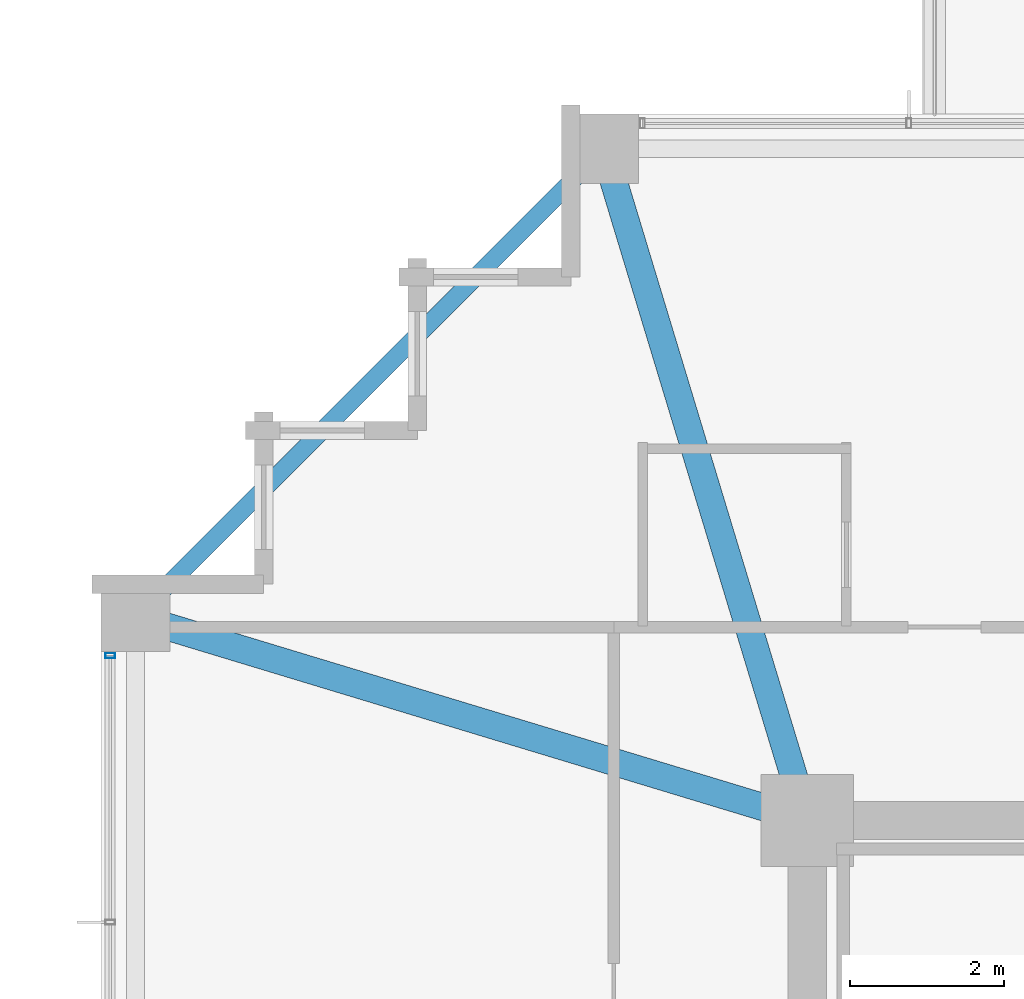
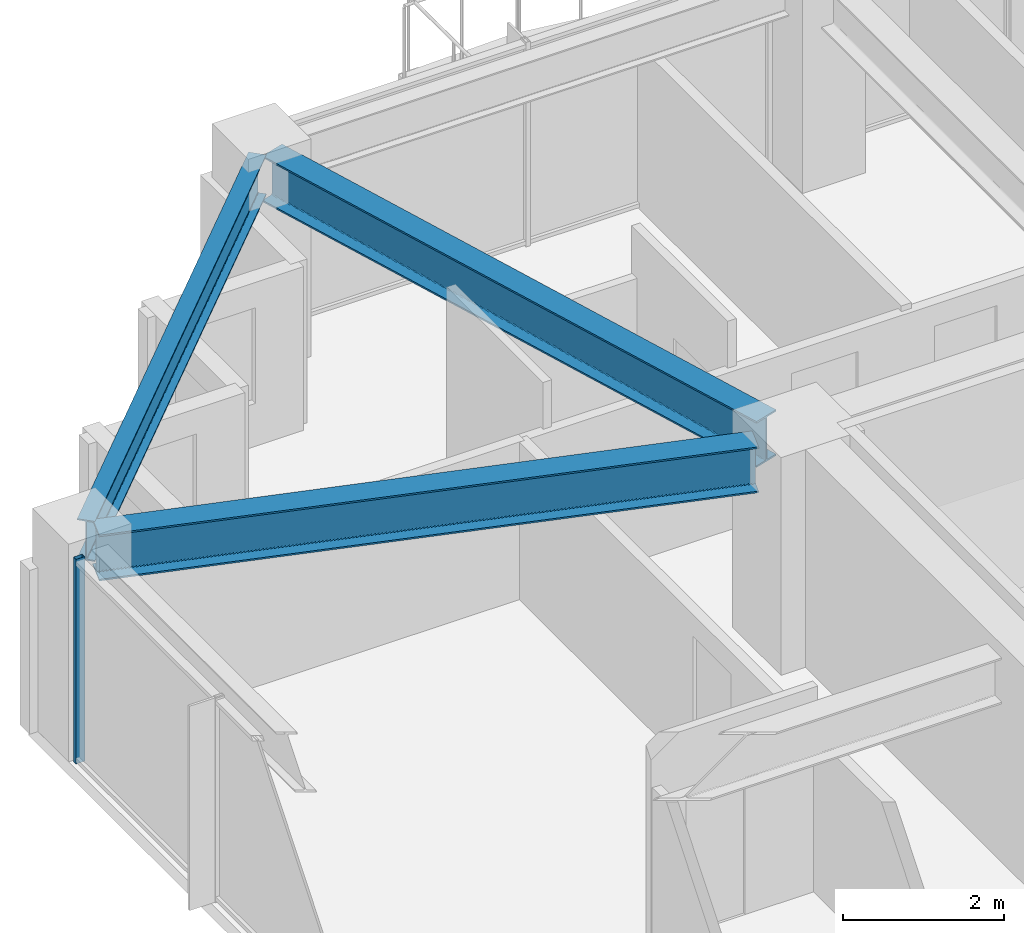
# One storey, part 15 of 32: 3 beams, 1 member, 1 element without a shape of its own.
"""IFC4 building model written with IfcOpenShell, lengths in metres."""

from ifc_helpers import new_model, si_unit, direction, frame, origin, origin_2d, place, context, subcontext, project, spatial, hollow_rectangle, i_section, extrude, material, material_profile, profile_set, type_object, element, aggregate, save


model = new_model("IFC4")

# Units and contexts
model_context = context("Model", 3, precision=1e-05, world=origin(), true_north=direction((0.0, 1.0)))
body_context = subcontext(model_context, "Body", "Model", "MODEL_VIEW")
ifc_project = project(units=[si_unit("LENGTHUNIT", "METRE"), si_unit("AREAUNIT", "SQUARE_METRE"), si_unit("VOLUMEUNIT", "CUBIC_METRE"), si_unit("PLANEANGLEUNIT", "RADIAN"), si_unit("MASSUNIT", "GRAM", prefix="KILO")], contexts=[model_context])

# Site, building, storey
site_placement = place(None, origin())
site = spatial("IfcSite", under=ifc_project, at=site_placement, CompositionType="ELEMENT")
building_placement = place(site_placement, origin())
building = spatial("IfcBuilding", under=site, at=building_placement, Name="Kolvaren Belvedere", CompositionType="ELEMENT")
storey_placement = place(building_placement, frame((0.0, 0.0, 160.199951171875)))
storey = spatial("IfcBuildingStorey", under=building, at=storey_placement, Name="L46", CompositionType="ELEMENT", Elevation=160.199951171875)

# Beams
ifc_material_1 = material(Name="Structural steel ASTM A992 Grade 50", Category="steel")
ifc_material_profile_1 = material_profile(ifc_material_1, i_section(OverallWidth=0.35498046875, OverallDepth=0.696044921875, WebThickness=0.015380859375, FlangeThickness=0.02490234375, FilletRadius=0.02197265625, at=origin_2d()), Name="W27X146")
ifc_profile_set_1 = profile_set([ifc_material_profile_1], Name="Structural steel ASTM A992 Grade 50")
beam_type_1 = type_object("IfcBeamType", Name="BM-GIRD-W27X146", PredefinedType="BEAM", material=ifc_profile_set_1)
for number, where, z_axis, x_axis, name in (
    (1, (-10.059326171875, 10.426513671875, 2.751953125), (-0.289865629086, 0.957067352423, 0.0), (-0.957067352423, -0.289865629086, 0.0), "L46 Corner Core-to-Perimeter Girder CC4-N1"),
    (2, (-10.426513671875, 10.059326171875, 2.751953125), (-0.957067352423, 0.289865629086, 0.0), (-0.289865629086, -0.957067352423, 0.0), "L46 Corner Core-to-Perimeter Girder CC4-W4"),
):
    element("IfcBeam", number, at=place(storey_placement, frame(where, z_axis=z_axis, x_axis=x_axis)), inside=storey, type_object=beam_type_1, Name=name, PredefinedType="BEAM", context=body_context, shape_type="SweptSolid", body=[
        extrude(i_section(OverallWidth=0.35498046875, OverallDepth=0.696044921875, WebThickness=0.015380859375, FlangeThickness=0.02490234375, FilletRadius=0.02197265625, at=origin_2d()), origin(), (0.0, 0.0, 1.0), 8.412353515625),
    ])
ifc_material_2 = material(Name="Structural steel ASTM A992 Grade 50", Category="steel")
ifc_material_profile_2 = material_profile(ifc_material_2, i_section(OverallWidth=0.22900390625, OverallDepth=0.612060546875, WebThickness=0.011962890625, FlangeThickness=0.01953125, FilletRadius=0.01806640625, at=origin_2d()), Name="W24X84")
ifc_profile_set_2 = profile_set([ifc_material_profile_2], Name="Structural steel ASTM A992 Grade 50")
beam_type_2 = type_object("IfcBeamType", Name="BM-SPAN-W24X84", PredefinedType="SPANDREL", material=ifc_profile_set_2)
beam_placement = place(storey_placement, frame((-12.693115234375, 18.5068359375, 2.7939453125), z_axis=(-0.707106781187, -0.707106781187, 0.0), x_axis=(0.707106781187, -0.707106781187, 0.0)))
element("IfcBeam", 3, at=beam_placement, inside=storey, type_object=beam_type_2, Name="L46 Perimeter Spandrel N1-W4", PredefinedType="SPANDREL", context=body_context, shape_type="SweptSolid", body=[
    extrude(i_section(OverallWidth=0.22900390625, OverallDepth=0.612060546875, WebThickness=0.011962890625, FlangeThickness=0.01953125, FilletRadius=0.01806640625, at=origin_2d()), origin(), (0.0, 0.0, 1.0), 8.221923828125),
])

# Curtain wall, member
ifc_material_3 = material(Name="Anodised pale-metal aluminium AA 6063-T6", Category="aluminium")
curtain_wall_type = type_object("IfcCurtainWallType", Name="CW-Z3-WAIST", PredefinedType="NOTDEFINED", material=ifc_material_3)
curtain_wall_placement = place(storey_placement, origin())
curtain_wall = element("IfcCurtainWall", 4, at=curtain_wall_placement, inside=storey, type_object=curtain_wall_type, Name="L46 Unitised Curtain Wall FCW-L46-W-B3", PredefinedType="NOTDEFINED")
ifc_material_4 = material(Name="Anodised pale-metal aluminium AA 6063-T6", Category="aluminium")
ifc_material_profile_3 = material_profile(ifc_material_4, hollow_rectangle(XDim=0.06494140625, YDim=0.1298828125, WallThickness=0.00390625, at=origin_2d()), Name="ALU-MUL-130X65")
ifc_profile_set_3 = profile_set([ifc_material_profile_3], Name="Anodised pale-metal aluminium AA 6063-T6")
member_type = type_object("IfcMemberType", Name="CW-MUL-130", PredefinedType="MULLION", material=ifc_profile_set_3)
member_placement = place(storey_placement, frame((-18.97998046875, 12.047607421875, 0.0), z_axis=(0.0, 0.0, 1.0), x_axis=(0.0, 1.0, 0.0)))
member = element("IfcMember", 5, at=member_placement, type_object=member_type, Name="FCW-L46-W-B3 Unitised Mullion 3", PredefinedType="MULLION", context=body_context, shape_type="SweptSolid", body=[
    extrude(hollow_rectangle(XDim=0.06494140625, YDim=0.1298828125, WallThickness=0.00390625, at=origin_2d()), origin(), (0.0, 0.0, 1.0), 3.10009765625),
])
aggregate(curtain_wall, [member])

save(model, "model.ifc")
